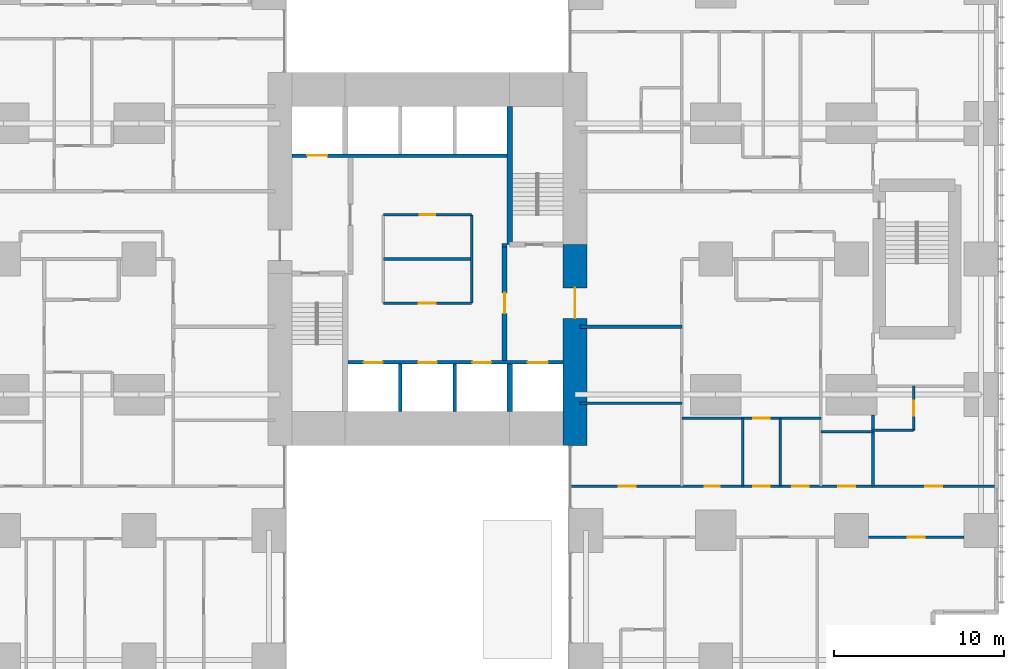
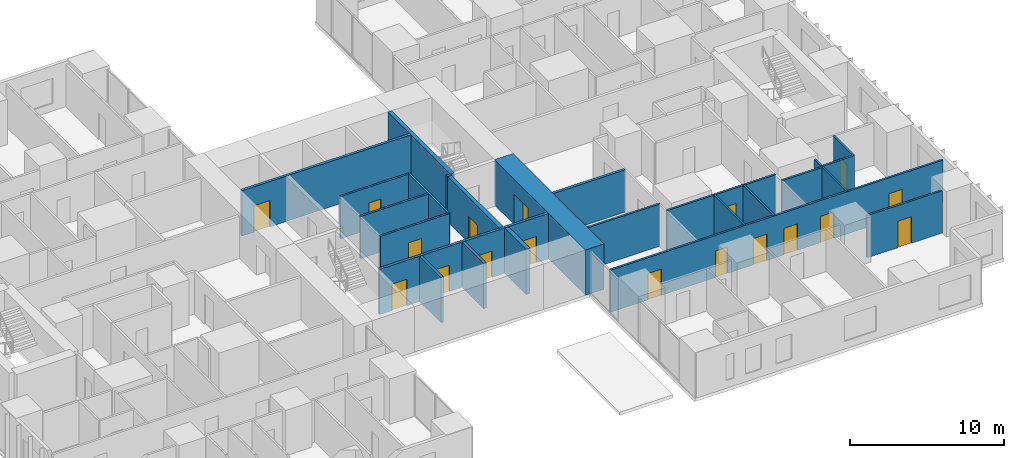
# One storey, part 17 of 22: 24 walls, 18 doors, 18 openings.
"""IFC4 building model written with IfcOpenShell, lengths in metres."""

from ifc_helpers import new_model, si_unit, direction, frame, frame_2d, origin, place, context, subcontext, project, spatial, rectangle, extrude, material, layer, layer_set, type_object, element, fill, save


model = new_model("IFC4")

# Units and contexts
model_context = context("Model", 3, precision=1e-05, world=origin(), true_north=direction((0.0, 1.0)))
body_context = subcontext(model_context, "Body", "Model", "MODEL_VIEW")
ifc_project = project(units=[si_unit("LENGTHUNIT", "METRE"), si_unit("AREAUNIT", "SQUARE_METRE"), si_unit("VOLUMEUNIT", "CUBIC_METRE"), si_unit("PLANEANGLEUNIT", "RADIAN"), si_unit("MASSUNIT", "GRAM", prefix="KILO")], contexts=[model_context])

# Site, building, storey
site_placement = place(None, origin())
site = spatial("IfcSite", under=ifc_project, at=site_placement, CompositionType="ELEMENT")
building_placement = place(site_placement, origin())
building = spatial("IfcBuilding", under=site, at=building_placement, Name="Cleftline Residences", CompositionType="ELEMENT")
storey_placement = place(building_placement, frame((0.0, 0.0, 29.60009765625)))
storey = spatial("IfcBuildingStorey", under=building, at=storey_placement, Name="L06", CompositionType="ELEMENT", Elevation=29.60009765625)

# Wall, opening, door
ifc_material_1 = material(Name="Concrete B70", Category="concrete")
ifc_layer_1 = layer(ifc_material_1, 1.39990234375)
ifc_layer_set_1 = layer_set([ifc_layer_1], Name="CORE WALL 1400")
wall_type_1 = type_object("IfcWallType", Name="CORE WALL 1400", PredefinedType="SHEAR", material=ifc_layer_set_1)
wall_1_placement = place(storey_placement, frame((41.699951171875, 13.0, 0.0), z_axis=(0.0, 0.0, 1.0), x_axis=(0.0, 1.0, 0.0)))
wall_1 = element("IfcWall", 1, at=wall_1_placement, inside=storey, type_object=wall_type_1, Name="Core wall E", PredefinedType="SHEAR", context=body_context, shape_type="SweptSolid", body=[
    extrude(rectangle(XDim=11.85009765625, YDim=1.39990234375, at=frame_2d((5.925048828125, 0.0))), origin(), (0.0, 0.0, 1.0), 3.599853515625),
])
opening_1_placement = place(wall_1_placement, frame((7.5, 0.0, 0.0)))
opening_1 = element("IfcOpeningElement", 2, at=opening_1_placement, cuts=wall_1, Name="Opening D7", PredefinedType="OPENING", context=body_context, shape_type="SweptSolid", body=[
    extrude(rectangle(XDim=1.800048828125, YDim=2.39990234375, at=frame_2d((0.89990234375, 1.199951171875))), frame((0.0, 0.7099609375, 0.0), z_axis=(0.0, -1.0, 0.0), x_axis=(1.0, 0.0, 0.0)), (0.0, 0.0, 1.0), 1.419921875),
])
ifc_material_2 = material(Name="Steel", Category="steel")
door_type_1 = type_object("IfcDoorType", Name="WING DOOR 1800X2400", OperationType="DOUBLE_DOOR_DOUBLE_SWING", PredefinedType="DOOR", material=ifc_material_2)
door_1_placement = place(opening_1_placement, origin())
door_1 = element("IfcDoor", 3, at=door_1_placement, inside=storey, type_object=door_type_1, Name="East wing door", OperationType="DOUBLE_DOOR_DOUBLE_SWING", OverallHeight=2.39990234375, OverallWidth=1.800048828125, PredefinedType="DOOR", context=body_context, shape_type="SweptSolid", body=[
    extrude(rectangle(XDim=1.800048828125, YDim=2.39990234375, at=frame_2d((0.89990234375, 1.199951171875))), frame((0.0, 0.02490234375, 0.0), z_axis=(0.0, -1.0, 0.0), x_axis=(1.0, 0.0, 0.0)), (0.0, 0.0, 1.0), 0.050048828125),
])
fill(opening_1, door_1)

# Walls
ifc_material_3 = material(Name="Concrete B70", Category="concrete")
ifc_layer_2 = layer(ifc_material_3, 0.300048828125)
ifc_layer_set_2 = layer_set([ifc_layer_2], Name="CORE WALL 300")
wall_type_2 = type_object("IfcWallType", Name="CORE WALL 300", PredefinedType="SHEAR", material=ifc_layer_set_2)
wall_2_placement = place(storey_placement, frame((37.85009765625, 24.85009765625, 0.0), z_axis=(0.0, 0.0, 1.0), x_axis=(0.0, 1.0, 0.0)))
element("IfcWall", 4, at=wall_2_placement, inside=storey, type_object=wall_type_2, Name="Core wall SB-W", PredefinedType="SHEAR", context=body_context, shape_type="SweptSolid", body=[
    extrude(rectangle(XDim=8.14990234375, YDim=0.300048828125, at=frame_2d((4.074951171875, 0.0))), origin(), (0.0, 0.0, 1.0), 3.599853515625),
])
wall_3_placement = place(storey_placement, frame((37.85009765625, 15.0, 0.0), z_axis=(0.0, 0.0, 1.0), x_axis=(0.0, 1.0, 0.0)))
element("IfcWall", 5, at=wall_3_placement, inside=storey, type_object=wall_type_2, Name="Lift shaft wall", PredefinedType="SHEAR", context=body_context, shape_type="SweptSolid", body=[
    extrude(rectangle(XDim=2.800048828125, YDim=0.300048828125, at=frame_2d((1.39990234375, 0.0))), origin(), (0.0, 0.0, 1.0), 3.599853515625),
])
ifc_material_4 = material(Name="Concrete blockwork, fire rated", Category="masonry")
ifc_layer_3 = layer(ifc_material_4, 0.199951171875)
ifc_layer_set_3 = layer_set([ifc_layer_3], Name="FIRE WALL 200")
wall_type_3 = type_object("IfcWallType", Name="FIRE WALL 200", PredefinedType="PARTITIONING", material=ifc_layer_set_3)
wall_4_placement = place(storey_placement, frame((42.0, 20.0, 0.0), z_axis=(0.0, 0.0, 1.0), x_axis=(1.0, 0.0, 0.0)))
element("IfcWall", 6, at=wall_4_placement, inside=storey, type_object=wall_type_3, Name="Fire separating wall", PredefinedType="PARTITIONING", context=body_context, shape_type="SweptSolid", body=[
    extrude(rectangle(XDim=6.0, YDim=0.199951171875, at=frame_2d((3.0, 0.0))), origin(), (0.0, 0.0, 1.0), 3.349853515625),
])
wall_5_placement = place(storey_placement, frame((37.39990234375, 24.800048828125, 0.0), z_axis=(0.0, 0.0, 1.0), x_axis=(1.0, 0.0, 0.0)))
element("IfcWall", 7, at=wall_5_placement, inside=storey, type_object=wall_type_3, Name="Fire separating wall", PredefinedType="PARTITIONING", context=body_context, shape_type="SweptSolid", body=[
    extrude(rectangle(XDim=0.300048828125, YDim=0.199951171875, at=frame_2d((0.14990234375, 0.0))), origin(), (0.0, 0.0, 1.0), 3.599853515625),
])

# Wall, opening, door
ifc_material_5 = material(Name="Gypsum board on steel studs", Category="steel")
ifc_layer_4 = layer(ifc_material_5, 0.14990234375)
ifc_layer_set_4 = layer_set([ifc_layer_4], Name="PARTITION 150")
wall_type_4 = type_object("IfcWallType", Name="PARTITION 150", PredefinedType="PARTITIONING", material=ifc_layer_set_4)
wall_6_placement = place(storey_placement, frame((59.0, 7.60009765625, 0.0), z_axis=(0.0, 0.0, 1.0), x_axis=(1.0, 0.0, 0.0)))
wall_6 = element("IfcWall", 8, at=wall_6_placement, inside=storey, type_object=wall_type_4, Name="Partition", PredefinedType="PARTITIONING", context=body_context, shape_type="SweptSolid", body=[
    extrude(rectangle(XDim=5.64990234375, YDim=0.14990234375, at=frame_2d((2.824951171875, 0.0))), origin(), (0.0, 0.0, 1.0), 3.349853515625),
])
opening_2_placement = place(wall_6_placement, frame((2.324951171875, 0.0, 0.0)))
opening_2 = element("IfcOpeningElement", 9, at=opening_2_placement, cuts=wall_6, Name="Opening D2", PredefinedType="OPENING", context=body_context, shape_type="SweptSolid", body=[
    extrude(rectangle(XDim=1.0, YDim=2.10009765625, at=frame_2d((0.5, 1.050048828125))), frame((0.0, 0.0849609375, 0.0), z_axis=(0.0, -1.0, 0.0), x_axis=(1.0, 0.0, 0.0)), (0.0, 0.0, 1.0), 0.169921875),
])
ifc_material_6 = material(Name="Timber veneer on solid core", Category="wood")
door_type_2 = type_object("IfcDoorType", Name="DOOR 1000X2100", OperationType="SINGLE_SWING_LEFT", PredefinedType="DOOR", material=ifc_material_6)
door_2_placement = place(opening_2_placement, origin())
door_2 = element("IfcDoor", 10, at=door_2_placement, inside=storey, type_object=door_type_2, Name="Door to sea-view lounge", OperationType="SINGLE_SWING_LEFT", OverallHeight=2.10009765625, OverallWidth=1.0, PredefinedType="DOOR", context=body_context, shape_type="SweptSolid", body=[
    extrude(rectangle(XDim=1.0, YDim=2.10009765625, at=frame_2d((0.5, 1.050048828125))), frame((0.0, 0.02490234375, 0.0), z_axis=(0.0, -1.0, 0.0), x_axis=(1.0, 0.0, 0.0)), (0.0, 0.0, 1.0), 0.050048828125),
])
fill(opening_2, door_2)

# Wall, openings, doors
wall_7_placement = place(storey_placement, frame((41.43896484375, 10.60009765625, 0.0), z_axis=(0.0, 0.0, 1.0), x_axis=(1.0, 0.0, 0.0)))
wall_7 = element("IfcWall", 11, at=wall_7_placement, inside=storey, type_object=wall_type_4, Name="Partition", PredefinedType="PARTITIONING", context=body_context, shape_type="SweptSolid", body=[
    extrude(rectangle(XDim=25.010986328125, YDim=0.14990234375, at=frame_2d((12.50537109375, 0.0))), origin(), (0.0, 0.0, 1.0), 3.349853515625),
])
opening_3_placement = place(wall_7_placement, frame((10.760986328125, 0.0, 0.0)))
opening_3 = element("IfcOpeningElement", 12, at=opening_3_placement, cuts=wall_7, Name="Opening D2", PredefinedType="OPENING", context=body_context, shape_type="SweptSolid", body=[
    extrude(rectangle(XDim=1.0, YDim=2.10009765625, at=frame_2d((0.5, 1.050048828125))), frame((0.0, 0.0849609375, 0.0), z_axis=(0.0, -1.0, 0.0), x_axis=(1.0, 0.0, 0.0)), (0.0, 0.0, 1.0), 0.169921875),
])
opening_4_placement = place(wall_7_placement, frame((20.923583984375, 0.0, 0.0)))
opening_4 = element("IfcOpeningElement", 13, at=opening_4_placement, cuts=wall_7, Name="Opening D2", PredefinedType="OPENING", context=body_context, shape_type="SweptSolid", body=[
    extrude(rectangle(XDim=1.0, YDim=2.10009765625, at=frame_2d((0.5, 1.050048828125))), frame((0.0, 0.0849609375, 0.0), z_axis=(0.0, -1.0, 0.0), x_axis=(1.0, 0.0, 0.0)), (0.0, 0.0, 1.0), 0.169921875),
])
opening_5_placement = place(wall_7_placement, frame((15.798583984375, 0.0, 0.0)))
opening_5 = element("IfcOpeningElement", 14, at=opening_5_placement, cuts=wall_7, Name="Opening D2", PredefinedType="OPENING", context=body_context, shape_type="SweptSolid", body=[
    extrude(rectangle(XDim=1.0, YDim=2.10009765625, at=frame_2d((0.5, 1.050048828125))), frame((0.0, 0.0849609375, 0.0), z_axis=(0.0, -1.0, 0.0), x_axis=(1.0, 0.0, 0.0)), (0.0, 0.0, 1.0), 0.169921875),
])
opening_6_placement = place(wall_7_placement, frame((13.06103515625, 0.0, 0.0)))
opening_6 = element("IfcOpeningElement", 15, at=opening_6_placement, cuts=wall_7, Name="Opening D2", PredefinedType="OPENING", context=body_context, shape_type="SweptSolid", body=[
    extrude(rectangle(XDim=1.0, YDim=2.10009765625, at=frame_2d((0.5, 1.050048828125))), frame((0.0, 0.0849609375, 0.0), z_axis=(0.0, -1.0, 0.0), x_axis=(1.0, 0.0, 0.0)), (0.0, 0.0, 1.0), 0.169921875),
])
opening_7_placement = place(wall_7_placement, frame((7.910888671875, 0.0, 0.0)))
opening_7 = element("IfcOpeningElement", 16, at=opening_7_placement, cuts=wall_7, Name="Opening D1", PredefinedType="OPENING", context=body_context, shape_type="SweptSolid", body=[
    extrude(rectangle(XDim=0.89990234375, YDim=2.10009765625, at=frame_2d((0.449951171875, 1.050048828125))), frame((0.0, 0.0849609375, 0.0), z_axis=(0.0, -1.0, 0.0), x_axis=(1.0, 0.0, 0.0)), (0.0, 0.0, 1.0), 0.169921875),
])
opening_8_placement = place(wall_7_placement, frame((2.8359375, 0.0, 0.0)))
opening_8 = element("IfcOpeningElement", 17, at=opening_8_placement, cuts=wall_7, Name="Opening D2", PredefinedType="OPENING", context=body_context, shape_type="SweptSolid", body=[
    extrude(rectangle(XDim=1.0, YDim=2.10009765625, at=frame_2d((0.5, 1.050048828125))), frame((0.0, 0.0849609375, 0.0), z_axis=(0.0, -1.0, 0.0), x_axis=(1.0, 0.0, 0.0)), (0.0, 0.0, 1.0), 0.169921875),
])
door_3_placement = place(opening_3_placement, origin())
door_3 = element("IfcDoor", 18, at=door_3_placement, inside=storey, type_object=door_type_2, Name="Door to residence hall", OperationType="SINGLE_SWING_RIGHT", OverallHeight=2.10009765625, OverallWidth=1.0, PredefinedType="DOOR", context=body_context, shape_type="SweptSolid", body=[
    extrude(rectangle(XDim=1.0, YDim=2.10009765625, at=frame_2d((0.5, 1.050048828125))), frame((0.0, 0.02490234375, 0.0), z_axis=(0.0, -1.0, 0.0), x_axis=(1.0, 0.0, 0.0)), (0.0, 0.0, 1.0), 0.050048828125),
])
fill(opening_3, door_3)
door_4_placement = place(opening_4_placement, origin())
door_4 = element("IfcDoor", 19, at=door_4_placement, inside=storey, type_object=door_type_2, Name="Door to master bedroom", OperationType="SINGLE_SWING_LEFT", OverallHeight=2.10009765625, OverallWidth=1.0, PredefinedType="DOOR", context=body_context, shape_type="SweptSolid", body=[
    extrude(rectangle(XDim=1.0, YDim=2.10009765625, at=frame_2d((0.5, 1.050048828125))), frame((0.0, 0.02490234375, 0.0), z_axis=(0.0, -1.0, 0.0), x_axis=(1.0, 0.0, 0.0)), (0.0, 0.0, 1.0), 0.050048828125),
])
fill(opening_4, door_4)
door_5_placement = place(opening_5_placement, origin())
door_5 = element("IfcDoor", 20, at=door_5_placement, inside=storey, type_object=door_type_2, Name="Door to wet kitchen", OperationType="SINGLE_SWING_LEFT", OverallHeight=2.10009765625, OverallWidth=1.0, PredefinedType="DOOR", context=body_context, shape_type="SweptSolid", body=[
    extrude(rectangle(XDim=1.0, YDim=2.10009765625, at=frame_2d((0.5, 1.050048828125))), frame((0.0, 0.02490234375, 0.0), z_axis=(0.0, -1.0, 0.0), x_axis=(1.0, 0.0, 0.0)), (0.0, 0.0, 1.0), 0.050048828125),
])
fill(opening_5, door_5)
door_6_placement = place(opening_6_placement, origin())
door_6 = element("IfcDoor", 21, at=door_6_placement, inside=storey, type_object=door_type_2, Name="Door to media room", OperationType="SINGLE_SWING_LEFT", OverallHeight=2.10009765625, OverallWidth=1.0, PredefinedType="DOOR", context=body_context, shape_type="SweptSolid", body=[
    extrude(rectangle(XDim=1.0, YDim=2.10009765625, at=frame_2d((0.5, 1.050048828125))), frame((0.0, 0.02490234375, 0.0), z_axis=(0.0, -1.0, 0.0), x_axis=(1.0, 0.0, 0.0)), (0.0, 0.0, 1.0), 0.050048828125),
])
fill(opening_6, door_6)
door_7_placement = place(opening_8_placement, origin())
door_7 = element("IfcDoor", 22, at=door_7_placement, inside=storey, type_object=door_type_2, Name="Door to study", OperationType="SINGLE_SWING_RIGHT", OverallHeight=2.10009765625, OverallWidth=1.0, PredefinedType="DOOR", context=body_context, shape_type="SweptSolid", body=[
    extrude(rectangle(XDim=1.0, YDim=2.10009765625, at=frame_2d((0.5, 1.050048828125))), frame((0.0, 0.02490234375, 0.0), z_axis=(0.0, -1.0, 0.0), x_axis=(1.0, 0.0, 0.0)), (0.0, 0.0, 1.0), 0.050048828125),
])
fill(opening_8, door_7)
ifc_material_7 = material(Name="Timber veneer on solid core", Category="wood")
door_type_3 = type_object("IfcDoorType", Name="DOOR 900X2100", OperationType="SINGLE_SWING_LEFT", PredefinedType="DOOR", material=ifc_material_7)
door_8_placement = place(opening_7_placement, origin())
door_8 = element("IfcDoor", 23, at=door_8_placement, inside=storey, type_object=door_type_3, Name="Door to bedroom 2 bathroom", OperationType="SINGLE_SWING_RIGHT", OverallHeight=2.10009765625, OverallWidth=0.89990234375, PredefinedType="DOOR", context=body_context, shape_type="SweptSolid", body=[
    extrude(rectangle(XDim=0.89990234375, YDim=2.10009765625, at=frame_2d((0.449951171875, 1.050048828125))), frame((0.0, 0.02490234375, 0.0), z_axis=(0.0, -1.0, 0.0), x_axis=(1.0, 0.0, 0.0)), (0.0, 0.0, 1.0), 0.050048828125),
])
fill(opening_7, door_8)

# Walls
wall_8_placement = place(storey_placement, frame((56.199951171875, 13.800048828125, 0.0), z_axis=(0.0, 0.0, 1.0), x_axis=(1.0, 0.0, 0.0)))
element("IfcWall", 24, at=wall_8_placement, inside=storey, type_object=wall_type_4, Name="Partition", PredefinedType="PARTITIONING", context=body_context, shape_type="SweptSolid", body=[
    extrude(rectangle(XDim=3.074951171875, YDim=0.14990234375, at=frame_2d((1.53759765625, 0.0))), origin(), (0.0, 0.0, 1.0), 3.349853515625),
])
wall_9_placement = place(storey_placement, frame((59.27490234375, 13.89990234375, 0.0), z_axis=(0.0, 0.0, 1.0), x_axis=(1.0, 0.0, 0.0)))
element("IfcWall", 25, at=wall_9_placement, inside=storey, type_object=wall_type_4, Name="Partition", PredefinedType="PARTITIONING", context=body_context, shape_type="SweptSolid", body=[
    extrude(rectangle(XDim=2.400146484375, YDim=0.14990234375, at=frame_2d((1.2001953125, 0.0))), origin(), (0.0, 0.0, 1.0), 3.349853515625),
])

# Wall, opening, door
wall_10_placement = place(storey_placement, frame((48.0, 14.60009765625, 0.0), z_axis=(0.0, 0.0, 1.0), x_axis=(1.0, 0.0, 0.0)))
wall_10 = element("IfcWall", 26, at=wall_10_placement, inside=storey, type_object=wall_type_4, Name="Partition", PredefinedType="PARTITIONING", context=body_context, shape_type="SweptSolid", body=[
    extrude(rectangle(XDim=8.199951171875, YDim=0.14990234375, at=frame_2d((4.10009765625, 0.0))), origin(), (0.0, 0.0, 1.0), 3.349853515625),
])
opening_9_placement = place(wall_10_placement, frame((4.199951171875, 0.0, 0.0)))
opening_9 = element("IfcOpeningElement", 27, at=opening_9_placement, cuts=wall_10, Name="Opening D2", PredefinedType="OPENING", context=body_context, shape_type="SweptSolid", body=[
    extrude(rectangle(XDim=1.0, YDim=2.10009765625, at=frame_2d((0.5, 1.050048828125))), frame((0.0, 0.0849609375, 0.0), z_axis=(0.0, -1.0, 0.0), x_axis=(1.0, 0.0, 0.0)), (0.0, 0.0, 1.0), 0.169921875),
])
door_9_placement = place(opening_9_placement, origin())
door_9 = element("IfcDoor", 28, at=door_9_placement, inside=storey, type_object=door_type_2, Name="Door to residence passage", OperationType="SINGLE_SWING_LEFT", OverallHeight=2.10009765625, OverallWidth=1.0, PredefinedType="DOOR", context=body_context, shape_type="SweptSolid", body=[
    extrude(rectangle(XDim=1.0, YDim=2.10009765625, at=frame_2d((0.5, 1.050048828125))), frame((0.0, 0.02490234375, 0.0), z_axis=(0.0, -1.0, 0.0), x_axis=(1.0, 0.0, 0.0)), (0.0, 0.0, 1.0), 0.050048828125),
])
fill(opening_9, door_9)

# Walls
wall_11_placement = place(storey_placement, frame((42.0, 15.5, 0.0), z_axis=(0.0, 0.0, 1.0), x_axis=(1.0, 0.0, 0.0)))
element("IfcWall", 29, at=wall_11_placement, inside=storey, type_object=wall_type_4, Name="Partition", PredefinedType="PARTITIONING", context=body_context, shape_type="SweptSolid", body=[
    extrude(rectangle(XDim=6.0, YDim=0.14990234375, at=frame_2d((3.0, 0.0))), origin(), (0.0, 0.0, 1.0), 3.349853515625),
])
for number, where, z_axis, x_axis, name in (
    (30, (51.60009765625, 10.60009765625, 0.0), (0.0, 0.0, 1.0), (0.0, 1.0, 0.0), "Partition"),
    (31, (53.800048828125, 10.60009765625, 0.0), (0.0, 0.0, 1.0), (0.0, 1.0, 0.0), "Partition"),
):
    element("IfcWall", number, at=place(storey_placement, frame(where, z_axis=z_axis, x_axis=x_axis)), inside=storey, type_object=wall_type_4, Name=name, PredefinedType="PARTITIONING", context=body_context, shape_type="SweptSolid", body=[
        extrude(rectangle(XDim=4.0, YDim=0.14990234375, at=frame_2d((2.0, 0.0))), origin(), (0.0, 0.0, 1.0), 3.349853515625),
    ])
wall_12_placement = place(storey_placement, frame((59.27490234375, 10.60009765625, 0.0), z_axis=(0.0, 0.0, 1.0), x_axis=(0.0, 1.0, 0.0)))
element("IfcWall", 32, at=wall_12_placement, inside=storey, type_object=wall_type_4, Name="Partition", PredefinedType="PARTITIONING", context=body_context, shape_type="SweptSolid", body=[
    extrude(rectangle(XDim=4.199951171875, YDim=0.14990234375, at=frame_2d((2.10009765625, 0.0))), origin(), (0.0, 0.0, 1.0), 3.349853515625),
])

# Wall, opening, door
wall_13_placement = place(storey_placement, frame((61.675048828125, 13.89990234375, 0.0), z_axis=(0.0, 0.0, 1.0), x_axis=(0.0, 1.0, 0.0)))
wall_13 = element("IfcWall", 33, at=wall_13_placement, inside=storey, type_object=wall_type_4, Name="Partition", PredefinedType="PARTITIONING", context=body_context, shape_type="SweptSolid", body=[
    extrude(rectangle(XDim=2.60009765625, YDim=0.14990234375, at=frame_2d((1.300048828125, 0.0))), origin(), (0.0, 0.0, 1.0), 3.349853515625),
])
opening_10_placement = place(wall_13_placement, frame((0.85009765625, 0.0, 0.0)))
opening_10 = element("IfcOpeningElement", 34, at=opening_10_placement, cuts=wall_13, Name="Opening D1", PredefinedType="OPENING", context=body_context, shape_type="SweptSolid", body=[
    extrude(rectangle(XDim=0.89990234375, YDim=2.10009765625, at=frame_2d((0.449951171875, 1.050048828125))), frame((0.0, 0.0849609375, 0.0), z_axis=(0.0, -1.0, 0.0), x_axis=(1.0, 0.0, 0.0)), (0.0, 0.0, 1.0), 0.169921875),
])
door_10_placement = place(opening_10_placement, origin())
door_10 = element("IfcDoor", 35, at=door_10_placement, inside=storey, type_object=door_type_3, Name="Door to master bathroom", OperationType="SINGLE_SWING_LEFT", OverallHeight=2.10009765625, OverallWidth=0.89990234375, PredefinedType="DOOR", context=body_context, shape_type="SweptSolid", body=[
    extrude(rectangle(XDim=0.89990234375, YDim=2.10009765625, at=frame_2d((0.449951171875, 1.050048828125))), frame((0.0, 0.02490234375, 0.0), z_axis=(0.0, -1.0, 0.0), x_axis=(1.0, 0.0, 0.0)), (0.0, 0.0, 1.0), 0.050048828125),
])
fill(opening_10, door_10)

ifc_material_8 = material(Name="Fire-resisting gypsum board on steel studs", Category="steel")
ifc_layer_5 = layer(ifc_material_8, 0.14990234375)
ifc_layer_set_5 = layer_set([ifc_layer_5], Name="PARTITION 150 EI 60")
wall_type_5 = type_object("IfcWallType", Name="PARTITION 150 EI 60", PredefinedType="PARTITIONING", material=ifc_layer_set_5)
wall_14_placement = place(storey_placement, frame((30.39990234375, 21.39990234375, 0.0), z_axis=(0.0, 0.0, 1.0), x_axis=(1.0, 0.0, 0.0)))
wall_14 = element("IfcWall", 36, at=wall_14_placement, inside=storey, type_object=wall_type_5, Name="Core room partition", PredefinedType="PARTITIONING", context=body_context, shape_type="SweptSolid", body=[
    extrude(rectangle(XDim=5.2001953125, YDim=0.14990234375, at=frame_2d((2.60009765625, 0.0))), origin(), (0.0, 0.0, 1.0), 3.349853515625),
])
opening_11_placement = place(wall_14_placement, frame((2.10009765625, 0.0, 0.0)))
opening_11 = element("IfcOpeningElement", 37, at=opening_11_placement, cuts=wall_14, Name="Opening D2F60", PredefinedType="OPENING", context=body_context, shape_type="SweptSolid", body=[
    extrude(rectangle(XDim=1.0, YDim=2.10009765625, at=frame_2d((0.5, 1.050048828125))), frame((0.0, 0.0849609375, 0.0), z_axis=(0.0, -1.0, 0.0), x_axis=(1.0, 0.0, 0.0)), (0.0, 0.0, 1.0), 0.169921875),
])
ifc_material_9 = material(Name="Timber veneer on solid core", Category="wood")
door_type_4 = type_object("IfcDoorType", Name="DOOR 1000X2100 EI 60", OperationType="SINGLE_SWING_LEFT", PredefinedType="DOOR", material=ifc_material_9)
door_11_placement = place(opening_11_placement, origin())
door_11 = element("IfcDoor", 38, at=door_11_placement, inside=storey, type_object=door_type_4, Name="Door to electrical room", OperationType="SINGLE_SWING_LEFT", OverallHeight=2.10009765625, OverallWidth=1.0, PredefinedType="DOOR", context=body_context, shape_type="SweptSolid", body=[
    extrude(rectangle(XDim=1.0, YDim=2.10009765625, at=frame_2d((0.5, 1.050048828125))), frame((0.0, 0.02490234375, 0.0), z_axis=(0.0, -1.0, 0.0), x_axis=(1.0, 0.0, 0.0)), (0.0, 0.0, 1.0), 0.050048828125),
])
fill(opening_11, door_11)

wall_15_placement = place(storey_placement, frame((30.39990234375, 26.60009765625, 0.0), z_axis=(0.0, 0.0, 1.0), x_axis=(1.0, 0.0, 0.0)))
wall_15 = element("IfcWall", 39, at=wall_15_placement, inside=storey, type_object=wall_type_5, Name="Core room partition", PredefinedType="PARTITIONING", context=body_context, shape_type="SweptSolid", body=[
    extrude(rectangle(XDim=5.2001953125, YDim=0.14990234375, at=frame_2d((2.60009765625, 0.0))), origin(), (0.0, 0.0, 1.0), 3.349853515625),
])
opening_12_placement = place(wall_15_placement, frame((2.14990234375, 0.0, 0.0)))
opening_12 = element("IfcOpeningElement", 40, at=opening_12_placement, cuts=wall_15, Name="Opening D1F30", PredefinedType="OPENING", context=body_context, shape_type="SweptSolid", body=[
    extrude(rectangle(XDim=0.89990234375, YDim=2.10009765625, at=frame_2d((0.449951171875, 1.050048828125))), frame((0.0, 0.0849609375, 0.0), z_axis=(0.0, -1.0, 0.0), x_axis=(1.0, 0.0, 0.0)), (0.0, 0.0, 1.0), 0.169921875),
])
ifc_material_10 = material(Name="Timber veneer on solid core", Category="wood")
door_type_5 = type_object("IfcDoorType", Name="DOOR 900X2100 EI 30", OperationType="SINGLE_SWING_LEFT", PredefinedType="DOOR", material=ifc_material_10)
door_12_placement = place(opening_12_placement, origin())
door_12 = element("IfcDoor", 41, at=door_12_placement, inside=storey, type_object=door_type_5, Name="Door to maintenance store", OperationType="SINGLE_SWING_LEFT", OverallHeight=2.10009765625, OverallWidth=0.89990234375, PredefinedType="DOOR", context=body_context, shape_type="SweptSolid", body=[
    extrude(rectangle(XDim=0.89990234375, YDim=2.10009765625, at=frame_2d((0.449951171875, 1.050048828125))), frame((0.0, 0.02490234375, 0.0), z_axis=(0.0, -1.0, 0.0), x_axis=(1.0, 0.0, 0.0)), (0.0, 0.0, 1.0), 0.050048828125),
])
fill(opening_12, door_12)

# Walls
for number, where, z_axis, x_axis, name in (
    (42, (35.60009765625, 21.39990234375, 0.0), (0.0, 0.0, 1.0), (0.0, 1.0, 0.0), "Core room partition"),
    (43, (30.39990234375, 24.0, 0.0), (0.0, 0.0, 1.0), (1.0, 0.0, 0.0), "Core room partition"),
):
    element("IfcWall", number, at=place(storey_placement, frame(where, z_axis=z_axis, x_axis=x_axis)), inside=storey, type_object=wall_type_5, Name=name, PredefinedType="PARTITIONING", context=body_context, shape_type="SweptSolid", body=[
        extrude(rectangle(XDim=5.2001953125, YDim=0.14990234375, at=frame_2d((2.60009765625, 0.0))), origin(), (0.0, 0.0, 1.0), 3.349853515625),
    ])

# Wall, openings, doors
ifc_material_11 = material(Name="Concrete blockwork, fire rated", Category="masonry")
ifc_layer_6 = layer(ifc_material_11, 0.199951171875)
ifc_layer_set_6 = layer_set([ifc_layer_6], Name="SHAFT WALL 200")
wall_type_6 = type_object("IfcWallType", Name="SHAFT WALL 200", PredefinedType="PARTITIONING", material=ifc_layer_set_6)
wall_16_placement = place(storey_placement, frame((28.300048828125, 17.89990234375, 0.0), z_axis=(0.0, 0.0, 1.0), x_axis=(1.0, 0.0, 0.0)))
wall_16 = element("IfcWall", 44, at=wall_16_placement, inside=storey, type_object=wall_type_6, Name="Lift shaft wall", PredefinedType="PARTITIONING", context=body_context, shape_type="SweptSolid", body=[
    extrude(rectangle(XDim=12.699951171875, YDim=0.199951171875, at=frame_2d((6.35009765625, 0.0))), origin(), (0.0, 0.0, 1.0), 3.599853515625),
])
opening_13_placement = place(wall_16_placement, frame((0.949951171875, 0.0, 0.0)))
opening_13 = element("IfcOpeningElement", 45, at=opening_13_placement, cuts=wall_16, Name="Opening LD1", PredefinedType="OPENING", context=body_context, shape_type="SweptSolid", body=[
    extrude(rectangle(XDim=1.10009765625, YDim=2.10009765625, at=frame_2d((0.550048828125, 1.050048828125))), frame((0.0, 0.10986328125, 0.0), z_axis=(0.0, -1.0, 0.0), x_axis=(1.0, 0.0, 0.0)), (0.0, 0.0, 1.0), 0.219970703125),
])
opening_14_placement = place(wall_16_placement, frame((4.14990234375, 0.0, 0.0)))
opening_14 = element("IfcOpeningElement", 46, at=opening_14_placement, cuts=wall_16, Name="Opening LD1", PredefinedType="OPENING", context=body_context, shape_type="SweptSolid", body=[
    extrude(rectangle(XDim=1.10009765625, YDim=2.10009765625, at=frame_2d((0.550048828125, 1.050048828125))), frame((0.0, 0.10986328125, 0.0), z_axis=(0.0, -1.0, 0.0), x_axis=(1.0, 0.0, 0.0)), (0.0, 0.0, 1.0), 0.219970703125),
])
opening_15_placement = place(wall_16_placement, frame((7.35009765625, 0.0, 0.0)))
opening_15 = element("IfcOpeningElement", 47, at=opening_15_placement, cuts=wall_16, Name="Opening LD1", PredefinedType="OPENING", context=body_context, shape_type="SweptSolid", body=[
    extrude(rectangle(XDim=1.10009765625, YDim=2.10009765625, at=frame_2d((0.550048828125, 1.050048828125))), frame((0.0, 0.10986328125, 0.0), z_axis=(0.0, -1.0, 0.0), x_axis=(1.0, 0.0, 0.0)), (0.0, 0.0, 1.0), 0.219970703125),
])
opening_16_placement = place(wall_16_placement, frame((10.60009765625, 0.0, 0.0)))
opening_16 = element("IfcOpeningElement", 48, at=opening_16_placement, cuts=wall_16, Name="Opening LD2", PredefinedType="OPENING", context=body_context, shape_type="SweptSolid", body=[
    extrude(rectangle(XDim=1.199951171875, YDim=2.10009765625, at=frame_2d((0.60009765625, 1.050048828125))), frame((0.0, 0.10986328125, 0.0), z_axis=(0.0, -1.0, 0.0), x_axis=(1.0, 0.0, 0.0)), (0.0, 0.0, 1.0), 0.219970703125),
])
ifc_material_12 = material(Name="Steel", Category="steel")
door_type_6 = type_object("IfcDoorType", Name="FIREFIGHTING LIFT LANDING DOOR 1200X2100", OperationType="SLIDING_TO_LEFT", PredefinedType="DOOR", material=ifc_material_12)
door_13_placement = place(opening_16_placement, origin())
door_13 = element("IfcDoor", 49, at=door_13_placement, inside=storey, type_object=door_type_6, Name="Lift FL2 landing door", OperationType="SLIDING_TO_LEFT", OverallHeight=2.10009765625, OverallWidth=1.199951171875, PredefinedType="DOOR", context=body_context, shape_type="SweptSolid", body=[
    extrude(rectangle(XDim=1.199951171875, YDim=2.10009765625, at=frame_2d((0.60009765625, 1.050048828125))), frame((0.0, 0.02490234375, 0.0), z_axis=(0.0, -1.0, 0.0), x_axis=(1.0, 0.0, 0.0)), (0.0, 0.0, 1.0), 0.050048828125),
])
fill(opening_16, door_13)
ifc_material_13 = material(Name="Steel", Category="steel")
door_type_7 = type_object("IfcDoorType", Name="LIFT LANDING DOOR 1100X2100", OperationType="SLIDING_TO_LEFT", PredefinedType="DOOR", material=ifc_material_13)
door_14_placement = place(opening_13_placement, origin())
door_14 = element("IfcDoor", 50, at=door_14_placement, inside=storey, type_object=door_type_7, Name="Lift P1 landing door", OperationType="SLIDING_TO_LEFT", OverallHeight=2.10009765625, OverallWidth=1.10009765625, PredefinedType="DOOR", context=body_context, shape_type="SweptSolid", body=[
    extrude(rectangle(XDim=1.10009765625, YDim=2.10009765625, at=frame_2d((0.550048828125, 1.050048828125))), frame((0.0, 0.02490234375, 0.0), z_axis=(0.0, -1.0, 0.0), x_axis=(1.0, 0.0, 0.0)), (0.0, 0.0, 1.0), 0.050048828125),
])
fill(opening_13, door_14)
door_15_placement = place(opening_14_placement, origin())
door_15 = element("IfcDoor", 51, at=door_15_placement, inside=storey, type_object=door_type_7, Name="Lift P2 landing door", OperationType="SLIDING_TO_LEFT", OverallHeight=2.10009765625, OverallWidth=1.10009765625, PredefinedType="DOOR", context=body_context, shape_type="SweptSolid", body=[
    extrude(rectangle(XDim=1.10009765625, YDim=2.10009765625, at=frame_2d((0.550048828125, 1.050048828125))), frame((0.0, 0.02490234375, 0.0), z_axis=(0.0, -1.0, 0.0), x_axis=(1.0, 0.0, 0.0)), (0.0, 0.0, 1.0), 0.050048828125),
])
fill(opening_14, door_15)
door_16_placement = place(opening_15_placement, origin())
door_16 = element("IfcDoor", 52, at=door_16_placement, inside=storey, type_object=door_type_7, Name="Lift P3 landing door", OperationType="SLIDING_TO_LEFT", OverallHeight=2.10009765625, OverallWidth=1.10009765625, PredefinedType="DOOR", context=body_context, shape_type="SweptSolid", body=[
    extrude(rectangle(XDim=1.10009765625, YDim=2.10009765625, at=frame_2d((0.550048828125, 1.050048828125))), frame((0.0, 0.02490234375, 0.0), z_axis=(0.0, -1.0, 0.0), x_axis=(1.0, 0.0, 0.0)), (0.0, 0.0, 1.0), 0.050048828125),
])
fill(opening_15, door_16)

# Wall, opening, door
wall_17_placement = place(storey_placement, frame((25.0, 30.10009765625, 0.0), z_axis=(0.0, 0.0, 1.0), x_axis=(1.0, 0.0, 0.0)))
wall_17 = element("IfcWall", 53, at=wall_17_placement, inside=storey, type_object=wall_type_6, Name="Lift shaft wall", PredefinedType="PARTITIONING", context=body_context, shape_type="SweptSolid", body=[
    extrude(rectangle(XDim=12.699951171875, YDim=0.199951171875, at=frame_2d((6.35009765625, 0.0))), origin(), (0.0, 0.0, 1.0), 3.599853515625),
])
opening_17_placement = place(wall_17_placement, frame((0.89990234375, 0.0, 0.0)))
opening_17 = element("IfcOpeningElement", 54, at=opening_17_placement, cuts=wall_17, Name="Opening LD2", PredefinedType="OPENING", context=body_context, shape_type="SweptSolid", body=[
    extrude(rectangle(XDim=1.199951171875, YDim=2.10009765625, at=frame_2d((0.60009765625, 1.050048828125))), frame((0.0, 0.10986328125, 0.0), z_axis=(0.0, -1.0, 0.0), x_axis=(1.0, 0.0, 0.0)), (0.0, 0.0, 1.0), 0.219970703125),
])
door_17_placement = place(opening_17_placement, origin())
door_17 = element("IfcDoor", 55, at=door_17_placement, inside=storey, type_object=door_type_6, Name="Lift FL1 landing door", OperationType="SLIDING_TO_LEFT", OverallHeight=2.10009765625, OverallWidth=1.199951171875, PredefinedType="DOOR", context=body_context, shape_type="SweptSolid", body=[
    extrude(rectangle(XDim=1.199951171875, YDim=2.10009765625, at=frame_2d((0.60009765625, 1.050048828125))), frame((0.0, 0.02490234375, 0.0), z_axis=(0.0, -1.0, 0.0), x_axis=(1.0, 0.0, 0.0)), (0.0, 0.0, 1.0), 0.050048828125),
])
fill(opening_17, door_17)

# Walls
for number, where, z_axis, x_axis, name in (
    (56, (31.39990234375, 15.0, 0.0), (0.0, 0.0, 1.0), (0.0, 1.0, 0.0), "Lift shaft wall"),
    (57, (34.60009765625, 15.0, 0.0), (0.0, 0.0, 1.0), (0.0, 1.0, 0.0), "Lift shaft wall"),
):
    element("IfcWall", number, at=place(storey_placement, frame(where, z_axis=z_axis, x_axis=x_axis)), inside=storey, type_object=wall_type_6, Name=name, PredefinedType="PARTITIONING", context=body_context, shape_type="SweptSolid", body=[
        extrude(rectangle(XDim=2.800048828125, YDim=0.199951171875, at=frame_2d((1.39990234375, 0.0))), origin(), (0.0, 0.0, 1.0), 3.599853515625),
    ])

# Wall, opening, door
ifc_material_14 = material(Name="Concrete blockwork, fire rated", Category="masonry")
ifc_layer_7 = layer(ifc_material_14, 0.300048828125)
ifc_layer_set_7 = layer_set([ifc_layer_7], Name="STAIR LOBBY WALL 300")
wall_type_7 = type_object("IfcWallType", Name="STAIR LOBBY WALL 300", PredefinedType="PARTITIONING", material=ifc_layer_set_7)
wall_18_placement = place(storey_placement, frame((37.550048828125, 18.0, 0.0), z_axis=(0.0, 0.0, 1.0), x_axis=(0.0, 1.0, 0.0)))
wall_18 = element("IfcWall", 58, at=wall_18_placement, inside=storey, type_object=wall_type_7, Name="Stair and lobby wall FB-W", PredefinedType="PARTITIONING", context=body_context, shape_type="SweptSolid", body=[
    extrude(rectangle(XDim=6.699951171875, YDim=0.300048828125, at=frame_2d((3.35009765625, 0.0))), origin(), (0.0, 0.0, 1.0), 3.599853515625),
])
opening_18_placement = place(wall_18_placement, frame((2.800048828125, 0.0, 0.0)))
opening_18 = element("IfcOpeningElement", 59, at=opening_18_placement, cuts=wall_18, Name="Opening D6", PredefinedType="OPENING", context=body_context, shape_type="SweptSolid", body=[
    extrude(rectangle(XDim=1.199951171875, YDim=2.10009765625, at=frame_2d((0.60009765625, 1.050048828125))), frame((0.0, 0.159912109375, 0.0), z_axis=(0.0, -1.0, 0.0), x_axis=(1.0, 0.0, 0.0)), (0.0, 0.0, 1.0), 0.320068359375),
])
ifc_material_15 = material(Name="Steel", Category="steel")
door_type_8 = type_object("IfcDoorType", Name="LOBBY DOOR 1200X2100", OperationType="SINGLE_SWING_RIGHT", PredefinedType="DOOR", material=ifc_material_15)
door_18_placement = place(opening_18_placement, origin())
door_18 = element("IfcDoor", 60, at=door_18_placement, inside=storey, type_object=door_type_8, Name="Firefighting lobby B door", OperationType="SINGLE_SWING_LEFT", OverallHeight=2.10009765625, OverallWidth=1.199951171875, PredefinedType="DOOR", context=body_context, shape_type="SweptSolid", body=[
    extrude(rectangle(XDim=1.199951171875, YDim=2.10009765625, at=frame_2d((0.60009765625, 1.050048828125))), frame((0.0, 0.02490234375, 0.0), z_axis=(0.0, -1.0, 0.0), x_axis=(1.0, 0.0, 0.0)), (0.0, 0.0, 1.0), 0.050048828125),
])
fill(opening_18, door_18)

save(model, "model.ifc")
